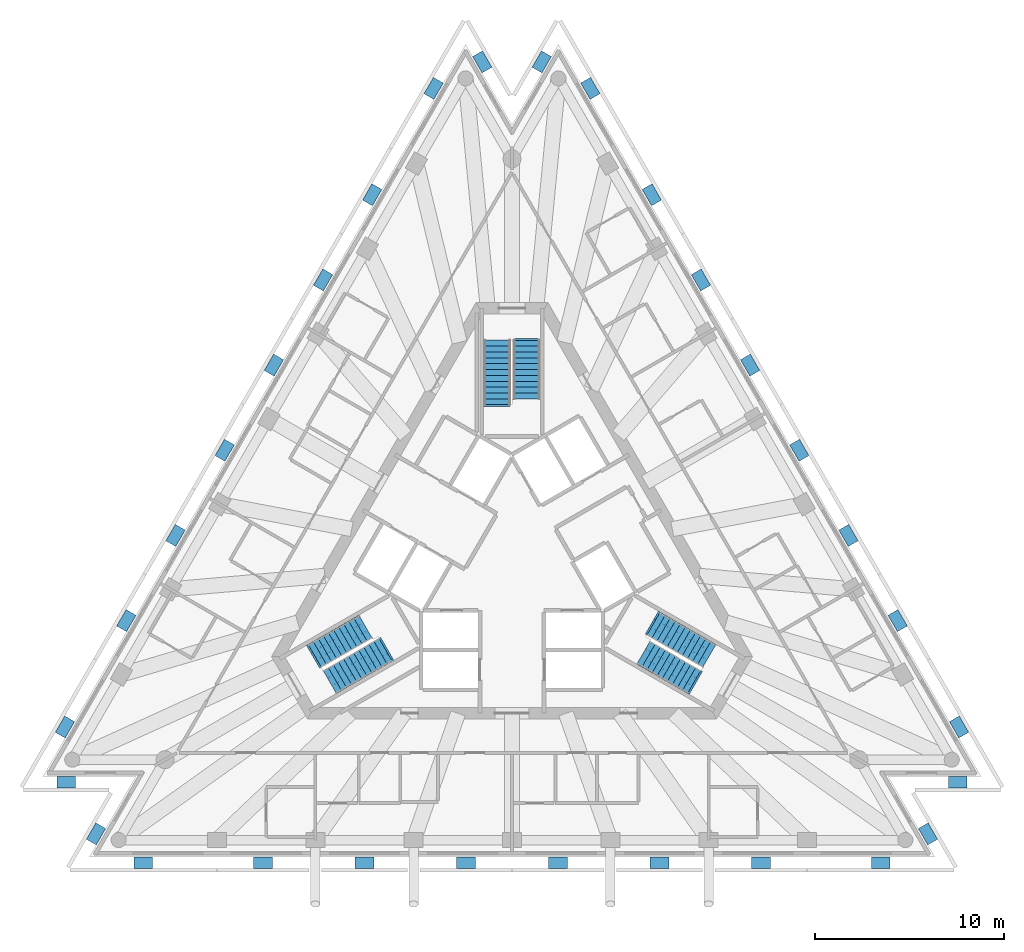
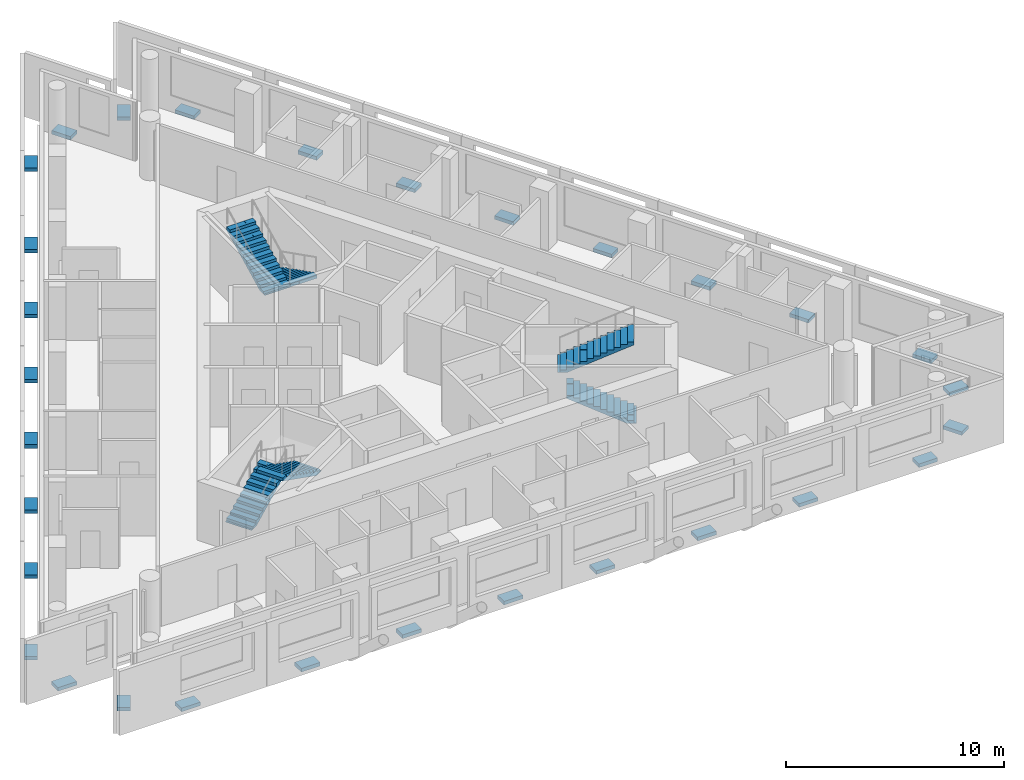
# One storey, part 8 of 10: 30 discrete accessories, 6 stair flights, 3 elements without a shape of their own.
"""IFC4 building model written with IfcOpenShell, lengths in metres."""

from ifc_helpers import new_model, si_unit, direction, frame, origin, origin_2d, place, context, subcontext, project, spatial, polyline, rectangle, outline, extrude, material, type_object, element, aggregate, save


model = new_model("IFC4")

# Units and contexts
model_context = context("Model", 3, precision=1e-05, world=origin(), true_north=direction((0.0, 1.0)))
body_context = subcontext(model_context, "Body", "Model", "MODEL_VIEW")
ifc_project = project(units=[si_unit("LENGTHUNIT", "METRE"), si_unit("AREAUNIT", "SQUARE_METRE"), si_unit("VOLUMEUNIT", "CUBIC_METRE"), si_unit("PLANEANGLEUNIT", "RADIAN"), si_unit("MASSUNIT", "GRAM", prefix="KILO")], contexts=[model_context])

# Site, building, storey
site_placement = place(None, origin())
site = spatial("IfcSite", under=ifc_project, at=site_placement, CompositionType="ELEMENT")
building_placement = place(site_placement, origin())
building = spatial("IfcBuilding", under=site, at=building_placement, Name="Triada Interchange Tower", CompositionType="ELEMENT")
storey_placement = place(building_placement, frame((0.0, 0.0, 318.699951171875)))
storey = spatial("IfcBuildingStorey", under=building, at=storey_placement, Name="L76", CompositionType="ELEMENT", Elevation=318.699951171875)

# Stair, stair flights
ifc_material_1 = material(Name="Concrete C35/45", Category="concrete")
stair_type = type_object("IfcStairType", Name="HALF TURN STAIR 1400", PredefinedType="HALF_TURN_STAIR", material=ifc_material_1)
stair_1_placement = place(storey_placement, origin())
stair_1 = element("IfcStair", 1, at=stair_1_placement, inside=storey, type_object=stair_type, Name="Exit stair S74-1", PredefinedType="HALF_TURN_STAIR")
stair_flight_type = type_object("IfcStairFlightType", Name="STRAIGHT STAIR FLIGHT 1400", PredefinedType="STRAIGHT", material=ifc_material_1)
stair_flight_1_placement = place(storey_placement, frame((0.800048828125, 11.60009765625, 0.0), z_axis=(0.0, 0.0, 1.0), x_axis=(0.0, -1.0, 0.0)))
stair_flight_1 = element("IfcStairFlight", 2, at=stair_flight_1_placement, type_object=stair_flight_type, Name="S74-1 flight 1", NumberOfRisers=11, NumberOfTreads=10, PredefinedType="STRAIGHT", RiserHeight=0.15652, TreadLength=0.31, context=body_context, shape_type="SweptSolid", body=[
    extrude(outline(polyline([(-0.10009765625, 0.0), (-0.10009765625, 0.02001953125), (0.0, 0.02001953125), (0.0, 0.156494140625), (0.31005859375, 0.156494140625), (0.31005859375, 0.31298828125), (0.6201171875, 0.31298828125), (0.6201171875, 0.469482421875), (0.929931640625, 0.469482421875), (0.929931640625, 0.6259765625), (1.239990234375, 0.6259765625), (1.239990234375, 0.78271484375), (1.550048828125, 0.78271484375), (1.550048828125, 0.939208984375), (1.860107421875, 0.939208984375), (1.860107421875, 1.095703125), (2.169921875, 1.095703125), (2.169921875, 1.252197265625), (2.47998046875, 1.252197265625), (2.47998046875, 1.40869140625), (2.7900390625, 1.40869140625), (2.7900390625, 1.565185546875), (3.10009765625, 1.565185546875), (3.10400390625, 1.565185546875), (3.10400390625, 1.7216796875), (3.10400390625, 1.397216796875), (0.33251953125, 0.0), (-0.10009765625, 0.0)])), frame((0.0, 0.699951171875, 0.0), z_axis=(0.0, -1.0, 0.0), x_axis=(1.0, 0.0, 0.0)), (0.0, 0.0, 1.0), 0.46533203125),
    extrude(outline(polyline([(-0.10009765625, 0.0), (-0.10009765625, 0.02001953125), (0.0, 0.02001953125), (0.0, 0.156494140625), (0.31005859375, 0.156494140625), (0.31005859375, 0.31298828125), (0.6201171875, 0.31298828125), (0.6201171875, 0.469482421875), (0.929931640625, 0.469482421875), (0.929931640625, 0.6259765625), (1.239990234375, 0.6259765625), (1.239990234375, 0.78271484375), (1.550048828125, 0.78271484375), (1.550048828125, 0.939208984375), (1.860107421875, 0.939208984375), (1.860107421875, 1.095703125), (2.169921875, 1.095703125), (2.169921875, 1.252197265625), (2.47998046875, 1.252197265625), (2.47998046875, 1.40869140625), (2.7900390625, 1.40869140625), (2.7900390625, 1.565185546875), (3.10009765625, 1.565185546875), (3.10400390625, 1.565185546875), (3.10400390625, 1.7216796875), (3.10400390625, 1.397216796875), (0.33251953125, 0.0), (-0.10009765625, 0.0)])), frame((0.0, 0.232666015625, 0.0), z_axis=(0.0, -1.0, 0.0), x_axis=(1.0, 0.0, 0.0)), (0.0, 0.0, 1.0), 0.46533203125),
    extrude(outline(polyline([(-0.10009765625, 0.0), (-0.10009765625, 0.02001953125), (0.0, 0.02001953125), (0.0, 0.156494140625), (0.31005859375, 0.156494140625), (0.31005859375, 0.31298828125), (0.6201171875, 0.31298828125), (0.6201171875, 0.469482421875), (0.929931640625, 0.469482421875), (0.929931640625, 0.6259765625), (1.239990234375, 0.6259765625), (1.239990234375, 0.78271484375), (1.550048828125, 0.78271484375), (1.550048828125, 0.939208984375), (1.860107421875, 0.939208984375), (1.860107421875, 1.095703125), (2.169921875, 1.095703125), (2.169921875, 1.252197265625), (2.47998046875, 1.252197265625), (2.47998046875, 1.40869140625), (2.7900390625, 1.40869140625), (2.7900390625, 1.565185546875), (3.10009765625, 1.565185546875), (3.10400390625, 1.565185546875), (3.10400390625, 1.7216796875), (3.10400390625, 1.397216796875), (0.33251953125, 0.0), (-0.10009765625, 0.0)])), frame((0.0, -0.234619140625, 0.0), z_axis=(0.0, -1.0, 0.0), x_axis=(1.0, 0.0, 0.0)), (0.0, 0.0, 1.0), 0.46533203125),
])
stair_flight_2_placement = place(storey_placement, frame((-0.800048828125, 8.18994140625, 1.7216796875), z_axis=(0.0, 0.0, 1.0), x_axis=(0.0, 1.0, 0.0)))
stair_flight_2 = element("IfcStairFlight", 3, at=stair_flight_2_placement, type_object=stair_flight_type, Name="S74-1 flight 2", NumberOfRisers=12, NumberOfTreads=11, PredefinedType="STRAIGHT", RiserHeight=0.15652, TreadLength=0.31, context=body_context, shape_type="SweptSolid", body=[
    extrude(outline(polyline([(-0.10009765625, 0.0), (-0.10009765625, 0.02001953125), (0.0, 0.02001953125), (0.0, 0.156494140625), (0.31005859375, 0.156494140625), (0.31005859375, 0.31298828125), (0.6201171875, 0.31298828125), (0.6201171875, 0.469482421875), (0.929931640625, 0.469482421875), (0.929931640625, 0.6259765625), (1.239990234375, 0.6259765625), (1.239990234375, 0.78271484375), (1.550048828125, 0.78271484375), (1.550048828125, 0.939208984375), (1.860107421875, 0.939208984375), (1.860107421875, 1.095703125), (2.169921875, 1.095703125), (2.169921875, 1.252197265625), (2.47998046875, 1.252197265625), (2.47998046875, 1.40869140625), (2.7900390625, 1.40869140625), (2.7900390625, 1.565185546875), (3.10009765625, 1.565185546875), (3.10009765625, 1.7216796875), (3.409912109375, 1.7216796875), (3.4140625, 1.7216796875), (3.4140625, 1.878173828125), (3.4140625, 1.5537109375), (0.33251953125, 0.0), (-0.10009765625, 0.0)])), frame((0.0, 0.699951171875, 0.0), z_axis=(0.0, -1.0, 0.0), x_axis=(1.0, 0.0, 0.0)), (0.0, 0.0, 1.0), 0.46533203125),
    extrude(outline(polyline([(-0.10009765625, 0.0), (-0.10009765625, 0.02001953125), (0.0, 0.02001953125), (0.0, 0.156494140625), (0.31005859375, 0.156494140625), (0.31005859375, 0.31298828125), (0.6201171875, 0.31298828125), (0.6201171875, 0.469482421875), (0.929931640625, 0.469482421875), (0.929931640625, 0.6259765625), (1.239990234375, 0.6259765625), (1.239990234375, 0.78271484375), (1.550048828125, 0.78271484375), (1.550048828125, 0.939208984375), (1.860107421875, 0.939208984375), (1.860107421875, 1.095703125), (2.169921875, 1.095703125), (2.169921875, 1.252197265625), (2.47998046875, 1.252197265625), (2.47998046875, 1.40869140625), (2.7900390625, 1.40869140625), (2.7900390625, 1.565185546875), (3.10009765625, 1.565185546875), (3.10009765625, 1.7216796875), (3.409912109375, 1.7216796875), (3.4140625, 1.7216796875), (3.4140625, 1.878173828125), (3.4140625, 1.5537109375), (0.33251953125, 0.0), (-0.10009765625, 0.0)])), frame((0.0, 0.232666015625, 0.0), z_axis=(0.0, -1.0, 0.0), x_axis=(1.0, 0.0, 0.0)), (0.0, 0.0, 1.0), 0.46533203125),
    extrude(outline(polyline([(-0.10009765625, 0.0), (-0.10009765625, 0.02001953125), (0.0, 0.02001953125), (0.0, 0.156494140625), (0.31005859375, 0.156494140625), (0.31005859375, 0.31298828125), (0.6201171875, 0.31298828125), (0.6201171875, 0.469482421875), (0.929931640625, 0.469482421875), (0.929931640625, 0.6259765625), (1.239990234375, 0.6259765625), (1.239990234375, 0.78271484375), (1.550048828125, 0.78271484375), (1.550048828125, 0.939208984375), (1.860107421875, 0.939208984375), (1.860107421875, 1.095703125), (2.169921875, 1.095703125), (2.169921875, 1.252197265625), (2.47998046875, 1.252197265625), (2.47998046875, 1.40869140625), (2.7900390625, 1.40869140625), (2.7900390625, 1.565185546875), (3.10009765625, 1.565185546875), (3.10009765625, 1.7216796875), (3.409912109375, 1.7216796875), (3.4140625, 1.7216796875), (3.4140625, 1.878173828125), (3.4140625, 1.5537109375), (0.33251953125, 0.0), (-0.10009765625, 0.0)])), frame((0.0, -0.234619140625, 0.0), z_axis=(0.0, -1.0, 0.0), x_axis=(1.0, 0.0, 0.0)), (0.0, 0.0, 1.0), 0.46533203125),
])
aggregate(stair_1, [stair_flight_1, stair_flight_2])

stair_2_placement = place(storey_placement, origin())
stair_2 = element("IfcStair", 4, at=stair_2_placement, inside=storey, type_object=stair_type, Name="Exit stair S74-2", PredefinedType="HALF_TURN_STAIR")
stair_flight_3_placement = place(storey_placement, frame((-10.446044921875, -5.10693359375, 0.0), z_axis=(0.0, 0.0, 1.0), x_axis=(0.866025403784, 0.5, 0.0)))
stair_flight_3 = element("IfcStairFlight", 5, at=stair_flight_3_placement, type_object=stair_flight_type, Name="S74-2 flight 1", NumberOfRisers=11, NumberOfTreads=10, PredefinedType="STRAIGHT", RiserHeight=0.15652, TreadLength=0.31, context=body_context, shape_type="SweptSolid", body=[
    extrude(outline(polyline([(-0.10009765625, 0.0), (-0.10009765625, 0.02001953125), (0.0, 0.02001953125), (0.0, 0.156494140625), (0.31005859375, 0.156494140625), (0.31005859375, 0.31298828125), (0.6201171875, 0.31298828125), (0.6201171875, 0.469482421875), (0.929931640625, 0.469482421875), (0.929931640625, 0.6259765625), (1.239990234375, 0.6259765625), (1.239990234375, 0.78271484375), (1.550048828125, 0.78271484375), (1.550048828125, 0.939208984375), (1.860107421875, 0.939208984375), (1.860107421875, 1.095703125), (2.169921875, 1.095703125), (2.169921875, 1.252197265625), (2.47998046875, 1.252197265625), (2.47998046875, 1.40869140625), (2.7900390625, 1.40869140625), (2.7900390625, 1.565185546875), (3.10009765625, 1.565185546875), (3.10400390625, 1.565185546875), (3.10400390625, 1.7216796875), (3.10400390625, 1.397216796875), (0.33251953125, 0.0), (-0.10009765625, 0.0)])), frame((0.0, 0.699951171875, 0.0), z_axis=(0.0, -1.0, 0.0), x_axis=(1.0, 0.0, 0.0)), (0.0, 0.0, 1.0), 0.46533203125),
    extrude(outline(polyline([(-0.10009765625, 0.0), (-0.10009765625, 0.02001953125), (0.0, 0.02001953125), (0.0, 0.156494140625), (0.31005859375, 0.156494140625), (0.31005859375, 0.31298828125), (0.6201171875, 0.31298828125), (0.6201171875, 0.469482421875), (0.929931640625, 0.469482421875), (0.929931640625, 0.6259765625), (1.239990234375, 0.6259765625), (1.239990234375, 0.78271484375), (1.550048828125, 0.78271484375), (1.550048828125, 0.939208984375), (1.860107421875, 0.939208984375), (1.860107421875, 1.095703125), (2.169921875, 1.095703125), (2.169921875, 1.252197265625), (2.47998046875, 1.252197265625), (2.47998046875, 1.40869140625), (2.7900390625, 1.40869140625), (2.7900390625, 1.565185546875), (3.10009765625, 1.565185546875), (3.10400390625, 1.565185546875), (3.10400390625, 1.7216796875), (3.10400390625, 1.397216796875), (0.33251953125, 0.0), (-0.10009765625, 0.0)])), frame((0.0, 0.232666015625, 0.0), z_axis=(0.0, -1.0, 0.0), x_axis=(1.0, 0.0, 0.0)), (0.0, 0.0, 1.0), 0.46533203125),
    extrude(outline(polyline([(-0.10009765625, 0.0), (-0.10009765625, 0.02001953125), (0.0, 0.02001953125), (0.0, 0.156494140625), (0.31005859375, 0.156494140625), (0.31005859375, 0.31298828125), (0.6201171875, 0.31298828125), (0.6201171875, 0.469482421875), (0.929931640625, 0.469482421875), (0.929931640625, 0.6259765625), (1.239990234375, 0.6259765625), (1.239990234375, 0.78271484375), (1.550048828125, 0.78271484375), (1.550048828125, 0.939208984375), (1.860107421875, 0.939208984375), (1.860107421875, 1.095703125), (2.169921875, 1.095703125), (2.169921875, 1.252197265625), (2.47998046875, 1.252197265625), (2.47998046875, 1.40869140625), (2.7900390625, 1.40869140625), (2.7900390625, 1.565185546875), (3.10009765625, 1.565185546875), (3.10400390625, 1.565185546875), (3.10400390625, 1.7216796875), (3.10400390625, 1.397216796875), (0.33251953125, 0.0), (-0.10009765625, 0.0)])), frame((0.0, -0.234619140625, 0.0), z_axis=(0.0, -1.0, 0.0), x_axis=(1.0, 0.0, 0.0)), (0.0, 0.0, 1.0), 0.46533203125),
])
stair_flight_4_placement = place(storey_placement, frame((-6.693115234375, -4.7880859375, 1.7216796875), z_axis=(0.0, 0.0, 1.0), x_axis=(-0.866025403784, -0.5, 0.0)))
stair_flight_4 = element("IfcStairFlight", 6, at=stair_flight_4_placement, type_object=stair_flight_type, Name="S74-2 flight 2", NumberOfRisers=12, NumberOfTreads=11, PredefinedType="STRAIGHT", RiserHeight=0.15652, TreadLength=0.31, context=body_context, shape_type="SweptSolid", body=[
    extrude(outline(polyline([(-0.10009765625, 0.0), (-0.10009765625, 0.02001953125), (0.0, 0.02001953125), (0.0, 0.156494140625), (0.31005859375, 0.156494140625), (0.31005859375, 0.31298828125), (0.6201171875, 0.31298828125), (0.6201171875, 0.469482421875), (0.929931640625, 0.469482421875), (0.929931640625, 0.6259765625), (1.239990234375, 0.6259765625), (1.239990234375, 0.78271484375), (1.550048828125, 0.78271484375), (1.550048828125, 0.939208984375), (1.860107421875, 0.939208984375), (1.860107421875, 1.095703125), (2.169921875, 1.095703125), (2.169921875, 1.252197265625), (2.47998046875, 1.252197265625), (2.47998046875, 1.40869140625), (2.7900390625, 1.40869140625), (2.7900390625, 1.565185546875), (3.10009765625, 1.565185546875), (3.10009765625, 1.7216796875), (3.409912109375, 1.7216796875), (3.4140625, 1.7216796875), (3.4140625, 1.878173828125), (3.4140625, 1.5537109375), (0.33251953125, 0.0), (-0.10009765625, 0.0)])), frame((0.0, 0.699951171875, 0.0), z_axis=(0.0, -1.0, 0.0), x_axis=(1.0, 0.0, 0.0)), (0.0, 0.0, 1.0), 0.46533203125),
    extrude(outline(polyline([(-0.10009765625, 0.0), (-0.10009765625, 0.02001953125), (0.0, 0.02001953125), (0.0, 0.156494140625), (0.31005859375, 0.156494140625), (0.31005859375, 0.31298828125), (0.6201171875, 0.31298828125), (0.6201171875, 0.469482421875), (0.929931640625, 0.469482421875), (0.929931640625, 0.6259765625), (1.239990234375, 0.6259765625), (1.239990234375, 0.78271484375), (1.550048828125, 0.78271484375), (1.550048828125, 0.939208984375), (1.860107421875, 0.939208984375), (1.860107421875, 1.095703125), (2.169921875, 1.095703125), (2.169921875, 1.252197265625), (2.47998046875, 1.252197265625), (2.47998046875, 1.40869140625), (2.7900390625, 1.40869140625), (2.7900390625, 1.565185546875), (3.10009765625, 1.565185546875), (3.10009765625, 1.7216796875), (3.409912109375, 1.7216796875), (3.4140625, 1.7216796875), (3.4140625, 1.878173828125), (3.4140625, 1.5537109375), (0.33251953125, 0.0), (-0.10009765625, 0.0)])), frame((0.0, 0.232666015625, 0.0), z_axis=(0.0, -1.0, 0.0), x_axis=(1.0, 0.0, 0.0)), (0.0, 0.0, 1.0), 0.46533203125),
    extrude(outline(polyline([(-0.10009765625, 0.0), (-0.10009765625, 0.02001953125), (0.0, 0.02001953125), (0.0, 0.156494140625), (0.31005859375, 0.156494140625), (0.31005859375, 0.31298828125), (0.6201171875, 0.31298828125), (0.6201171875, 0.469482421875), (0.929931640625, 0.469482421875), (0.929931640625, 0.6259765625), (1.239990234375, 0.6259765625), (1.239990234375, 0.78271484375), (1.550048828125, 0.78271484375), (1.550048828125, 0.939208984375), (1.860107421875, 0.939208984375), (1.860107421875, 1.095703125), (2.169921875, 1.095703125), (2.169921875, 1.252197265625), (2.47998046875, 1.252197265625), (2.47998046875, 1.40869140625), (2.7900390625, 1.40869140625), (2.7900390625, 1.565185546875), (3.10009765625, 1.565185546875), (3.10009765625, 1.7216796875), (3.409912109375, 1.7216796875), (3.4140625, 1.7216796875), (3.4140625, 1.878173828125), (3.4140625, 1.5537109375), (0.33251953125, 0.0), (-0.10009765625, 0.0)])), frame((0.0, -0.234619140625, 0.0), z_axis=(0.0, -1.0, 0.0), x_axis=(1.0, 0.0, 0.0)), (0.0, 0.0, 1.0), 0.46533203125),
])
aggregate(stair_2, [stair_flight_3, stair_flight_4])

stair_3_placement = place(storey_placement, origin())
stair_3 = element("IfcStair", 7, at=stair_3_placement, inside=storey, type_object=stair_type, Name="Exit stair S74-3", PredefinedType="HALF_TURN_STAIR")
stair_flight_5_placement = place(storey_placement, frame((9.64599609375, -6.492919921875, 0.0), z_axis=(0.0, 0.0, 1.0), x_axis=(-0.866025403784, 0.5, 0.0)))
stair_flight_5 = element("IfcStairFlight", 8, at=stair_flight_5_placement, type_object=stair_flight_type, Name="S74-3 flight 1", NumberOfRisers=11, NumberOfTreads=10, PredefinedType="STRAIGHT", RiserHeight=0.15652, TreadLength=0.31, context=body_context, shape_type="SweptSolid", body=[
    extrude(outline(polyline([(-0.10009765625, 0.0), (-0.10009765625, 0.02001953125), (0.0, 0.02001953125), (0.0, 0.156494140625), (0.31005859375, 0.156494140625), (0.31005859375, 0.31298828125), (0.6201171875, 0.31298828125), (0.6201171875, 0.469482421875), (0.929931640625, 0.469482421875), (0.929931640625, 0.6259765625), (1.239990234375, 0.6259765625), (1.239990234375, 0.78271484375), (1.550048828125, 0.78271484375), (1.550048828125, 0.939208984375), (1.860107421875, 0.939208984375), (1.860107421875, 1.095703125), (2.169921875, 1.095703125), (2.169921875, 1.252197265625), (2.47998046875, 1.252197265625), (2.47998046875, 1.40869140625), (2.7900390625, 1.40869140625), (2.7900390625, 1.565185546875), (3.10009765625, 1.565185546875), (3.10400390625, 1.565185546875), (3.10400390625, 1.7216796875), (3.10400390625, 1.397216796875), (0.33251953125, 0.0), (-0.10009765625, 0.0)])), frame((0.0, 0.699951171875, 0.0), z_axis=(0.0, -1.0, 0.0), x_axis=(1.0, 0.0, 0.0)), (0.0, 0.0, 1.0), 0.46533203125),
    extrude(outline(polyline([(-0.10009765625, 0.0), (-0.10009765625, 0.02001953125), (0.0, 0.02001953125), (0.0, 0.156494140625), (0.31005859375, 0.156494140625), (0.31005859375, 0.31298828125), (0.6201171875, 0.31298828125), (0.6201171875, 0.469482421875), (0.929931640625, 0.469482421875), (0.929931640625, 0.6259765625), (1.239990234375, 0.6259765625), (1.239990234375, 0.78271484375), (1.550048828125, 0.78271484375), (1.550048828125, 0.939208984375), (1.860107421875, 0.939208984375), (1.860107421875, 1.095703125), (2.169921875, 1.095703125), (2.169921875, 1.252197265625), (2.47998046875, 1.252197265625), (2.47998046875, 1.40869140625), (2.7900390625, 1.40869140625), (2.7900390625, 1.565185546875), (3.10009765625, 1.565185546875), (3.10400390625, 1.565185546875), (3.10400390625, 1.7216796875), (3.10400390625, 1.397216796875), (0.33251953125, 0.0), (-0.10009765625, 0.0)])), frame((0.0, 0.232666015625, 0.0), z_axis=(0.0, -1.0, 0.0), x_axis=(1.0, 0.0, 0.0)), (0.0, 0.0, 1.0), 0.46533203125),
    extrude(outline(polyline([(-0.10009765625, 0.0), (-0.10009765625, 0.02001953125), (0.0, 0.02001953125), (0.0, 0.156494140625), (0.31005859375, 0.156494140625), (0.31005859375, 0.31298828125), (0.6201171875, 0.31298828125), (0.6201171875, 0.469482421875), (0.929931640625, 0.469482421875), (0.929931640625, 0.6259765625), (1.239990234375, 0.6259765625), (1.239990234375, 0.78271484375), (1.550048828125, 0.78271484375), (1.550048828125, 0.939208984375), (1.860107421875, 0.939208984375), (1.860107421875, 1.095703125), (2.169921875, 1.095703125), (2.169921875, 1.252197265625), (2.47998046875, 1.252197265625), (2.47998046875, 1.40869140625), (2.7900390625, 1.40869140625), (2.7900390625, 1.565185546875), (3.10009765625, 1.565185546875), (3.10400390625, 1.565185546875), (3.10400390625, 1.7216796875), (3.10400390625, 1.397216796875), (0.33251953125, 0.0), (-0.10009765625, 0.0)])), frame((0.0, -0.234619140625, 0.0), z_axis=(0.0, -1.0, 0.0), x_axis=(1.0, 0.0, 0.0)), (0.0, 0.0, 1.0), 0.46533203125),
])
stair_flight_6_placement = place(storey_placement, frame((7.492919921875, -3.402099609375, 1.7216796875), z_axis=(0.0, 0.0, 1.0), x_axis=(0.866025403784, -0.5, 0.0)))
stair_flight_6 = element("IfcStairFlight", 9, at=stair_flight_6_placement, type_object=stair_flight_type, Name="S74-3 flight 2", NumberOfRisers=12, NumberOfTreads=11, PredefinedType="STRAIGHT", RiserHeight=0.15652, TreadLength=0.31, context=body_context, shape_type="SweptSolid", body=[
    extrude(outline(polyline([(-0.10009765625, 0.0), (-0.10009765625, 0.02001953125), (0.0, 0.02001953125), (0.0, 0.156494140625), (0.31005859375, 0.156494140625), (0.31005859375, 0.31298828125), (0.6201171875, 0.31298828125), (0.6201171875, 0.469482421875), (0.929931640625, 0.469482421875), (0.929931640625, 0.6259765625), (1.239990234375, 0.6259765625), (1.239990234375, 0.78271484375), (1.550048828125, 0.78271484375), (1.550048828125, 0.939208984375), (1.860107421875, 0.939208984375), (1.860107421875, 1.095703125), (2.169921875, 1.095703125), (2.169921875, 1.252197265625), (2.47998046875, 1.252197265625), (2.47998046875, 1.40869140625), (2.7900390625, 1.40869140625), (2.7900390625, 1.565185546875), (3.10009765625, 1.565185546875), (3.10009765625, 1.7216796875), (3.409912109375, 1.7216796875), (3.4140625, 1.7216796875), (3.4140625, 1.878173828125), (3.4140625, 1.5537109375), (0.33251953125, 0.0), (-0.10009765625, 0.0)])), frame((0.0, 0.699951171875, 0.0), z_axis=(0.0, -1.0, 0.0), x_axis=(1.0, 0.0, 0.0)), (0.0, 0.0, 1.0), 0.46533203125),
    extrude(outline(polyline([(-0.10009765625, 0.0), (-0.10009765625, 0.02001953125), (0.0, 0.02001953125), (0.0, 0.156494140625), (0.31005859375, 0.156494140625), (0.31005859375, 0.31298828125), (0.6201171875, 0.31298828125), (0.6201171875, 0.469482421875), (0.929931640625, 0.469482421875), (0.929931640625, 0.6259765625), (1.239990234375, 0.6259765625), (1.239990234375, 0.78271484375), (1.550048828125, 0.78271484375), (1.550048828125, 0.939208984375), (1.860107421875, 0.939208984375), (1.860107421875, 1.095703125), (2.169921875, 1.095703125), (2.169921875, 1.252197265625), (2.47998046875, 1.252197265625), (2.47998046875, 1.40869140625), (2.7900390625, 1.40869140625), (2.7900390625, 1.565185546875), (3.10009765625, 1.565185546875), (3.10009765625, 1.7216796875), (3.409912109375, 1.7216796875), (3.4140625, 1.7216796875), (3.4140625, 1.878173828125), (3.4140625, 1.5537109375), (0.33251953125, 0.0), (-0.10009765625, 0.0)])), frame((0.0, 0.232666015625, 0.0), z_axis=(0.0, -1.0, 0.0), x_axis=(1.0, 0.0, 0.0)), (0.0, 0.0, 1.0), 0.46533203125),
    extrude(outline(polyline([(-0.10009765625, 0.0), (-0.10009765625, 0.02001953125), (0.0, 0.02001953125), (0.0, 0.156494140625), (0.31005859375, 0.156494140625), (0.31005859375, 0.31298828125), (0.6201171875, 0.31298828125), (0.6201171875, 0.469482421875), (0.929931640625, 0.469482421875), (0.929931640625, 0.6259765625), (1.239990234375, 0.6259765625), (1.239990234375, 0.78271484375), (1.550048828125, 0.78271484375), (1.550048828125, 0.939208984375), (1.860107421875, 0.939208984375), (1.860107421875, 1.095703125), (2.169921875, 1.095703125), (2.169921875, 1.252197265625), (2.47998046875, 1.252197265625), (2.47998046875, 1.40869140625), (2.7900390625, 1.40869140625), (2.7900390625, 1.565185546875), (3.10009765625, 1.565185546875), (3.10009765625, 1.7216796875), (3.409912109375, 1.7216796875), (3.4140625, 1.7216796875), (3.4140625, 1.878173828125), (3.4140625, 1.5537109375), (0.33251953125, 0.0), (-0.10009765625, 0.0)])), frame((0.0, -0.234619140625, 0.0), z_axis=(0.0, -1.0, 0.0), x_axis=(1.0, 0.0, 0.0)), (0.0, 0.0, 1.0), 0.46533203125),
])
aggregate(stair_3, [stair_flight_5, stair_flight_6])

# Discrete accessories
ifc_material_2 = material(Name="Steel S355", Category="steel")
discrete_accessory_type = type_object("IfcDiscreteAccessoryType", Name="Steel bracket outer skin", PredefinedType="BRACKET", material=ifc_material_2)
for number, where, z_axis, x_axis, name in (
    (10, (-4.14892578125, 24.93994140625, -0.27001953125), (0.0, 0.0, 1.0), (-0.866024548572, 0.500001481269, 0.0), "Bracket L76 01"),
    (11, (-7.402099609375, 19.305908203125, -0.27001953125), (0.0, 0.0, 1.0), (-0.866024548572, 0.500001481269, 0.0), "Bracket L76 02"),
    (12, (-10.0048828125, 14.7958984375, -0.27001953125), (0.0, 0.0, 1.0), (-0.866024548572, 0.500001481269, 0.0), "Bracket L76 03"),
    (13, (-12.60888671875, 10.285888671875, -0.27001953125), (0.0, 0.0, 1.0), (-0.866024548572, 0.500001481269, 0.0), "Bracket L76 04"),
    (14, (-15.212890625, 5.777099609375, -0.27001953125), (0.0, 0.0, 1.0), (-0.866024548572, 0.500001481269, 0.0), "Bracket L76 05"),
    (15, (-17.81591796875, 1.26708984375, -0.27001953125), (0.0, 0.0, 1.0), (-0.866024548572, 0.500001481269, 0.0), "Bracket L76 06"),
    (16, (-20.419921875, -3.242919921875, -0.27001953125), (0.0, 0.0, 1.0), (-0.866024548572, 0.500001481269, 0.0), "Bracket L76 07"),
    (17, (-23.673095703125, -8.876953125, -0.27001953125), (0.0, 0.0, 1.0), (-0.866024548572, 0.500001481269, 0.0), "Bracket L76 08"),
    (18, (-23.60009765625, -11.806884765625, -0.27001953125), (0.0, 0.0, 1.0), (0.0, -1.0, 0.0), "Bracket L76 09"),
    (19, (-22.02490234375, -14.534912109375, -0.27001953125), (0.0, 0.0, 1.0), (-0.866043266677, 0.499969059287, 0.0), "Bracket L76 10"),
    (20, (-19.52392578125, -16.06298828125, -0.27001953125), (0.0, 0.0, 1.0), (0.0, -1.0, 0.0), "Bracket L76 11"),
    (21, (-13.179931640625, -16.06298828125, -0.27001953125), (0.0, 0.0, 1.0), (0.0, -1.0, 0.0), "Bracket L76 12"),
    (22, (-7.81103515625, -16.06298828125, -0.27001953125), (0.0, 0.0, 1.0), (0.0, -1.0, 0.0), "Bracket L76 13"),
    (23, (-2.44189453125, -16.06298828125, -0.27001953125), (0.0, 0.0, 1.0), (0.0, -1.0, 0.0), "Bracket L76 14"),
    (24, (2.44189453125, -16.06298828125, -0.27001953125), (0.0, 0.0, 1.0), (0.0, -1.0, 0.0), "Bracket L76 15"),
    (25, (7.81103515625, -16.06298828125, -0.27001953125), (0.0, 0.0, 1.0), (0.0, -1.0, 0.0), "Bracket L76 16"),
    (26, (13.179931640625, -16.06298828125, -0.27001953125), (0.0, 0.0, 1.0), (0.0, -1.0, 0.0), "Bracket L76 17"),
    (27, (19.52392578125, -16.06298828125, -0.27001953125), (0.0, 0.0, 1.0), (0.0, -1.0, 0.0), "Bracket L76 18"),
    (28, (22.02490234375, -14.534912109375, -0.27001953125), (0.0, 0.0, 1.0), (0.866043266677, 0.499969059287, 0.0), "Bracket L76 19"),
    (29, (23.60009765625, -11.806884765625, -0.27001953125), (0.0, 0.0, 1.0), (0.0, -1.0, 0.0), "Bracket L76 20"),
    (30, (23.673095703125, -8.876953125, -0.27001953125), (0.0, 0.0, 1.0), (0.866024548572, 0.500001481269, 0.0), "Bracket L76 21"),
    (31, (20.419921875, -3.242919921875, -0.27001953125), (0.0, 0.0, 1.0), (0.866024548572, 0.500001481269, 0.0), "Bracket L76 22"),
    (32, (17.81591796875, 1.26708984375, -0.27001953125), (0.0, 0.0, 1.0), (0.866024548572, 0.500001481269, 0.0), "Bracket L76 23"),
    (33, (15.212890625, 5.777099609375, -0.27001953125), (0.0, 0.0, 1.0), (0.866024548572, 0.500001481269, 0.0), "Bracket L76 24"),
    (34, (12.60888671875, 10.285888671875, -0.27001953125), (0.0, 0.0, 1.0), (0.866024548572, 0.500001481269, 0.0), "Bracket L76 25"),
    (35, (10.0048828125, 14.7958984375, -0.27001953125), (0.0, 0.0, 1.0), (0.866024548572, 0.500001481269, 0.0), "Bracket L76 26"),
    (36, (7.402099609375, 19.305908203125, -0.27001953125), (0.0, 0.0, 1.0), (0.866024548572, 0.500001481269, 0.0), "Bracket L76 27"),
    (37, (4.14892578125, 24.93994140625, -0.27001953125), (0.0, 0.0, 1.0), (0.866024548572, 0.500001481269, 0.0), "Bracket L76 28"),
    (38, (1.574951171875, 26.342041015625, -0.27001953125), (0.0, 0.0, 1.0), (-0.866043266677, 0.499969059287, 0.0), "Bracket L76 29"),
    (39, (-1.574951171875, 26.342041015625, -0.27001953125), (0.0, 0.0, 1.0), (0.866043266677, 0.499969059287, 0.0), "Bracket L76 30"),
):
    element("IfcDiscreteAccessory", number, at=place(storey_placement, frame(where, z_axis=z_axis, x_axis=x_axis)), inside=storey, type_object=discrete_accessory_type, Name=name, PredefinedType="BRACKET", context=body_context, shape_type="SweptSolid", body=[
        extrude(rectangle(XDim=0.60009765625, YDim=1.0, at=origin_2d()), origin(), (0.0, 0.0, 1.0), 0.199951171875),
    ])

save(model, "model.ifc")
